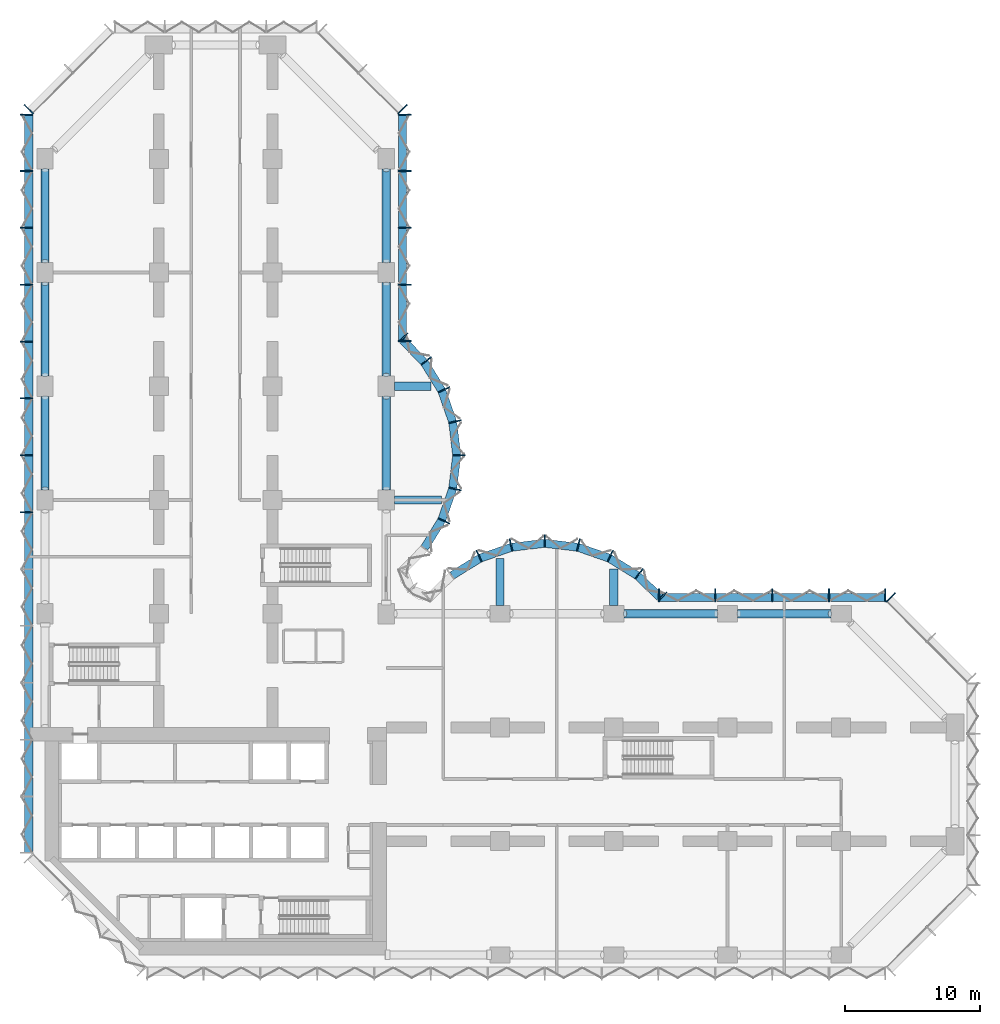
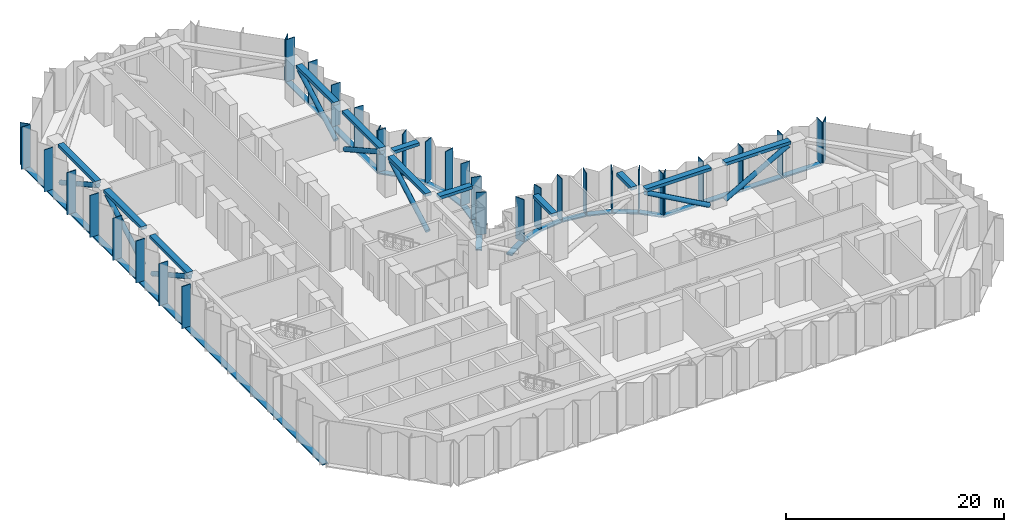
# One storey, part 2 of 18: 60 members, 12 beams, 8 elements without a shape of their own.
"""IFC4 building model written with IfcOpenShell, lengths in metres."""

from ifc_helpers import new_model, si_unit, direction, frame, origin, origin_2d, place, context, subcontext, project, spatial, rectangle, hollow_circle, extrude, material, material_profile, profile_set, type_object, element, aggregate, save


model = new_model("IFC4")

# Units and contexts
model_context = context("Model", 3, precision=1e-05, world=origin(), true_north=direction((0.0, 1.0)))
body_context = subcontext(model_context, "Body", "Model", "MODEL_VIEW")
ifc_project = project(units=[si_unit("LENGTHUNIT", "METRE"), si_unit("AREAUNIT", "SQUARE_METRE"), si_unit("VOLUMEUNIT", "CUBIC_METRE"), si_unit("PLANEANGLEUNIT", "RADIAN"), si_unit("MASSUNIT", "GRAM", prefix="KILO")], contexts=[model_context])

# Site, building, storey
site_placement = place(None, origin())
site = spatial("IfcSite", under=ifc_project, at=site_placement, CompositionType="ELEMENT")
building_placement = place(site_placement, origin())
building = spatial("IfcBuilding", under=site, at=building_placement, Name="Brevane Broadcast Tower", CompositionType="ELEMENT")
storey_placement = place(building_placement, frame((0.0, 0.0, 86.89990234375)))
storey = spatial("IfcBuildingStorey", under=building, at=storey_placement, Name="L20", CompositionType="ELEMENT", Elevation=86.89990234375)

# Curtain wall, member
ifc_material_1 = material(Name="Aluminium 6063-T6 bronze anodised", Category="aluminium")
curtain_wall_type = type_object("IfcCurtainWallType", Name="CW-3 curtain wall", PredefinedType="NOTDEFINED", material=ifc_material_1)
curtain_wall_1_placement = place(storey_placement, origin())
curtain_wall_1 = element("IfcCurtainWall", 1, at=curtain_wall_1_placement, inside=storey, type_object=curtain_wall_type, Name="CW-3 refuge louvre unit L20 north-east chamfer", PredefinedType="NOTDEFINED")
ifc_material_profile_1 = material_profile(ifc_material_1, rectangle(XDim=0.949951171875, YDim=0.080078125, at=origin_2d()), Name="RECT 80x950")
ifc_profile_set_1 = profile_set([ifc_material_profile_1], Name="Aluminium 6063-T6 bronze anodised")
member_type_1 = type_object("IfcMemberType", Name="CW-3 mullion 80x950", PredefinedType="MULLION", material=ifc_profile_set_1)
member_1_placement = place(storey_placement, frame((62.464111328125, 26.407470703125, -0.159912109375), z_axis=(0.0, 0.0, 1.0), x_axis=(-0.707106781187, -0.707106781187, 0.0)))
member_1 = element("IfcMember", 2, at=member_1_placement, type_object=member_type_1, Name="CW-3 mullion", PredefinedType="MULLION", context=body_context, shape_type="SweptSolid", body=[
    extrude(rectangle(XDim=0.949951171875, YDim=0.080078125, at=origin_2d()), origin(), (0.0, 0.0, 1.0), 4.7099609375),
])
aggregate(curtain_wall_1, [member_1])

# Curtain wall, members
curtain_wall_2_placement = place(storey_placement, origin())
curtain_wall_2 = element("IfcCurtainWall", 3, at=curtain_wall_2_placement, inside=storey, type_object=curtain_wall_type, Name="CW-3 refuge louvre unit L20 east arm north face", PredefinedType="NOTDEFINED")
member_2_placement = place(storey_placement, frame((62.06005859375, 26.574951171875, -0.159912109375), z_axis=(0.0, 0.0, 1.0), x_axis=(0.0, -1.0, 0.0)))
member_2 = element("IfcMember", 4, at=member_2_placement, type_object=member_type_1, Name="CW-3 mullion", PredefinedType="MULLION", context=body_context, shape_type="SweptSolid", body=[
    extrude(rectangle(XDim=0.949951171875, YDim=0.080078125, at=origin_2d()), origin(), (0.0, 0.0, 1.0), 4.7099609375),
])
member_3_placement = place(storey_placement, frame((57.89990234375, 26.574951171875, -0.159912109375), z_axis=(0.0, 0.0, 1.0), x_axis=(0.0, -1.0, 0.0)))
member_3 = element("IfcMember", 5, at=member_3_placement, type_object=member_type_1, Name="CW-3 mullion", PredefinedType="MULLION", context=body_context, shape_type="SweptSolid", body=[
    extrude(rectangle(XDim=0.949951171875, YDim=0.080078125, at=origin_2d()), origin(), (0.0, 0.0, 1.0), 4.7099609375),
])
member_4_placement = place(storey_placement, frame((53.699951171875, 26.574951171875, -0.159912109375), z_axis=(0.0, 0.0, 1.0), x_axis=(0.0, -1.0, 0.0)))
member_4 = element("IfcMember", 6, at=member_4_placement, type_object=member_type_1, Name="CW-3 mullion", PredefinedType="MULLION", context=body_context, shape_type="SweptSolid", body=[
    extrude(rectangle(XDim=0.949951171875, YDim=0.080078125, at=origin_2d()), origin(), (0.0, 0.0, 1.0), 4.7099609375),
])
member_5_placement = place(storey_placement, frame((49.5, 26.574951171875, -0.159912109375), z_axis=(0.0, 0.0, 1.0), x_axis=(0.0, -1.0, 0.0)))
member_5 = element("IfcMember", 7, at=member_5_placement, type_object=member_type_1, Name="CW-3 mullion", PredefinedType="MULLION", context=body_context, shape_type="SweptSolid", body=[
    extrude(rectangle(XDim=0.949951171875, YDim=0.080078125, at=origin_2d()), origin(), (0.0, 0.0, 1.0), 4.7099609375),
])
member_6_placement = place(storey_placement, frame((45.340087890625, 26.574951171875, -0.159912109375), z_axis=(0.0, 0.0, 1.0), x_axis=(0.0, -1.0, 0.0)))
member_6 = element("IfcMember", 8, at=member_6_placement, type_object=member_type_1, Name="CW-3 mullion", PredefinedType="MULLION", context=body_context, shape_type="SweptSolid", body=[
    extrude(rectangle(XDim=0.949951171875, YDim=0.080078125, at=origin_2d()), origin(), (0.0, 0.0, 1.0), 4.7099609375),
])

curtain_wall_3_placement = place(storey_placement, origin())
curtain_wall_3 = element("IfcCurtainWall", 9, at=curtain_wall_3_placement, inside=storey, type_object=curtain_wall_type, Name="CW-3 refuge louvre unit L20 east bow", PredefinedType="NOTDEFINED")
member_7_placement = place(storey_placement, frame((45.602294921875, 26.468505859375, -0.159912109375), z_axis=(0.0, 0.0, 1.0), x_axis=(-0.696811941702, -0.717253872699, 0.0)))
member_7 = element("IfcMember", 10, at=member_7_placement, type_object=member_type_1, Name="CW-3 mullion", PredefinedType="MULLION", context=body_context, shape_type="SweptSolid", body=[
    extrude(rectangle(XDim=0.949951171875, YDim=0.080078125, at=origin_2d()), origin(), (0.0, 0.0, 1.0), 4.7099609375),
])
member_8_placement = place(storey_placement, frame((43.8720703125, 28.1455078125, -0.159912109375), z_axis=(0.0, 0.0, 1.0), x_axis=(-0.614769738617, -0.788706642853, 0.0)))
member_8 = element("IfcMember", 11, at=member_8_placement, type_object=member_type_1, Name="CW-3 mullion", PredefinedType="MULLION", context=body_context, shape_type="SweptSolid", body=[
    extrude(rectangle(XDim=0.949951171875, YDim=0.080078125, at=origin_2d()), origin(), (0.0, 0.0, 1.0), 4.7099609375),
])
member_9_placement = place(storey_placement, frame((41.746826171875, 29.4580078125, -0.159912109375), z_axis=(0.0, 0.0, 1.0), x_axis=(-0.429933601163, -0.902860508933, 0.0)))
member_9 = element("IfcMember", 12, at=member_9_placement, type_object=member_type_1, Name="CW-3 mullion", PredefinedType="MULLION", context=body_context, shape_type="SweptSolid", body=[
    extrude(rectangle(XDim=0.949951171875, YDim=0.080078125, at=origin_2d()), origin(), (0.0, 0.0, 1.0), 4.7099609375),
])
member_10_placement = place(storey_placement, frame((39.38818359375, 30.28076171875, -0.159912109375), z_axis=(0.0, 0.0, 1.0), x_axis=(-0.224806482215, -0.974403430594, 0.0)))
member_10 = element("IfcMember", 13, at=member_10_placement, type_object=member_type_1, Name="CW-3 mullion", PredefinedType="MULLION", context=body_context, shape_type="SweptSolid", body=[
    extrude(rectangle(XDim=0.949951171875, YDim=0.080078125, at=origin_2d()), origin(), (0.0, 0.0, 1.0), 4.7099609375),
])
member_11_placement = place(storey_placement, frame((36.89990234375, 30.574951171875, -0.159912109375), z_axis=(0.0, 0.0, 1.0), x_axis=(0.0, -1.0, 0.0)))
member_11 = element("IfcMember", 14, at=member_11_placement, type_object=member_type_1, Name="CW-3 mullion", PredefinedType="MULLION", context=body_context, shape_type="SweptSolid", body=[
    extrude(rectangle(XDim=0.949951171875, YDim=0.080078125, at=origin_2d()), origin(), (0.0, 0.0, 1.0), 4.7099609375),
])
member_12_placement = place(storey_placement, frame((34.411865234375, 30.28076171875, -0.159912109375), z_axis=(0.0, 0.0, 1.0), x_axis=(0.224806482215, -0.974403430594, 0.0)))
member_12 = element("IfcMember", 15, at=member_12_placement, type_object=member_type_1, Name="CW-3 mullion", PredefinedType="MULLION", context=body_context, shape_type="SweptSolid", body=[
    extrude(rectangle(XDim=0.949951171875, YDim=0.080078125, at=origin_2d()), origin(), (0.0, 0.0, 1.0), 4.7099609375),
])
member_13_placement = place(storey_placement, frame((32.05322265625, 29.4580078125, -0.159912109375), z_axis=(0.0, 0.0, 1.0), x_axis=(0.429933601163, -0.902860508933, 0.0)))
member_13 = element("IfcMember", 16, at=member_13_placement, type_object=member_type_1, Name="CW-3 mullion", PredefinedType="MULLION", context=body_context, shape_type="SweptSolid", body=[
    extrude(rectangle(XDim=0.949951171875, YDim=0.080078125, at=origin_2d()), origin(), (0.0, 0.0, 1.0), 4.7099609375),
])

curtain_wall_4_placement = place(storey_placement, origin())
curtain_wall_4 = element("IfcCurtainWall", 17, at=curtain_wall_4_placement, inside=storey, type_object=curtain_wall_type, Name="CW-3 refuge louvre unit L20 north bow", PredefinedType="NOTDEFINED")
member_14_placement = place(storey_placement, frame((29.4580078125, 32.05322265625, -0.159912109375), z_axis=(0.0, 0.0, 1.0), x_axis=(-0.902860508933, 0.429933601163, 0.0)))
member_14 = element("IfcMember", 18, at=member_14_placement, type_object=member_type_1, Name="CW-3 mullion", PredefinedType="MULLION", context=body_context, shape_type="SweptSolid", body=[
    extrude(rectangle(XDim=0.949951171875, YDim=0.080078125, at=origin_2d()), origin(), (0.0, 0.0, 1.0), 4.7099609375),
])
member_15_placement = place(storey_placement, frame((30.28076171875, 34.411865234375, -0.159912109375), z_axis=(0.0, 0.0, 1.0), x_axis=(-0.974403430594, 0.224806482215, 0.0)))
member_15 = element("IfcMember", 19, at=member_15_placement, type_object=member_type_1, Name="CW-3 mullion", PredefinedType="MULLION", context=body_context, shape_type="SweptSolid", body=[
    extrude(rectangle(XDim=0.949951171875, YDim=0.080078125, at=origin_2d()), origin(), (0.0, 0.0, 1.0), 4.7099609375),
])
member_16_placement = place(storey_placement, frame((30.574951171875, 36.89990234375, -0.159912109375), z_axis=(0.0, 0.0, 1.0), x_axis=(-1.0, 0.0, 0.0)))
member_16 = element("IfcMember", 20, at=member_16_placement, type_object=member_type_1, Name="CW-3 mullion", PredefinedType="MULLION", context=body_context, shape_type="SweptSolid", body=[
    extrude(rectangle(XDim=0.949951171875, YDim=0.080078125, at=origin_2d()), origin(), (0.0, 0.0, 1.0), 4.7099609375),
])
member_17_placement = place(storey_placement, frame((30.28076171875, 39.38818359375, -0.159912109375), z_axis=(0.0, 0.0, 1.0), x_axis=(-0.974403430594, -0.224806482215, 0.0)))
member_17 = element("IfcMember", 21, at=member_17_placement, type_object=member_type_1, Name="CW-3 mullion", PredefinedType="MULLION", context=body_context, shape_type="SweptSolid", body=[
    extrude(rectangle(XDim=0.949951171875, YDim=0.080078125, at=origin_2d()), origin(), (0.0, 0.0, 1.0), 4.7099609375),
])
member_18_placement = place(storey_placement, frame((29.4580078125, 41.746826171875, -0.159912109375), z_axis=(0.0, 0.0, 1.0), x_axis=(-0.902860508933, -0.429933601163, 0.0)))
member_18 = element("IfcMember", 22, at=member_18_placement, type_object=member_type_1, Name="CW-3 mullion", PredefinedType="MULLION", context=body_context, shape_type="SweptSolid", body=[
    extrude(rectangle(XDim=0.949951171875, YDim=0.080078125, at=origin_2d()), origin(), (0.0, 0.0, 1.0), 4.7099609375),
])
member_19_placement = place(storey_placement, frame((28.1455078125, 43.8720703125, -0.159912109375), z_axis=(0.0, 0.0, 1.0), x_axis=(-0.788706642853, -0.614769738617, 0.0)))
member_19 = element("IfcMember", 23, at=member_19_placement, type_object=member_type_1, Name="CW-3 mullion", PredefinedType="MULLION", context=body_context, shape_type="SweptSolid", body=[
    extrude(rectangle(XDim=0.949951171875, YDim=0.080078125, at=origin_2d()), origin(), (0.0, 0.0, 1.0), 4.7099609375),
])
member_20_placement = place(storey_placement, frame((26.468505859375, 45.602294921875, -0.159912109375), z_axis=(0.0, 0.0, 1.0), x_axis=(-0.717253872699, -0.696811941702, 0.0)))
member_20 = element("IfcMember", 24, at=member_20_placement, type_object=member_type_1, Name="CW-3 mullion", PredefinedType="MULLION", context=body_context, shape_type="SweptSolid", body=[
    extrude(rectangle(XDim=0.949951171875, YDim=0.080078125, at=origin_2d()), origin(), (0.0, 0.0, 1.0), 4.7099609375),
])

curtain_wall_5_placement = place(storey_placement, origin())
curtain_wall_5 = element("IfcCurtainWall", 25, at=curtain_wall_5_placement, inside=storey, type_object=curtain_wall_type, Name="CW-3 refuge louvre unit L20 north arm east face", PredefinedType="NOTDEFINED")
member_21_placement = place(storey_placement, frame((26.574951171875, 45.340087890625, -0.159912109375), z_axis=(0.0, 0.0, 1.0), x_axis=(-1.0, 0.0, 0.0)))
member_21 = element("IfcMember", 26, at=member_21_placement, type_object=member_type_1, Name="CW-3 mullion", PredefinedType="MULLION", context=body_context, shape_type="SweptSolid", body=[
    extrude(rectangle(XDim=0.949951171875, YDim=0.080078125, at=origin_2d()), origin(), (0.0, 0.0, 1.0), 4.7099609375),
])
member_22_placement = place(storey_placement, frame((26.574951171875, 49.5, -0.159912109375), z_axis=(0.0, 0.0, 1.0), x_axis=(-1.0, 0.0, 0.0)))
member_22 = element("IfcMember", 27, at=member_22_placement, type_object=member_type_1, Name="CW-3 mullion", PredefinedType="MULLION", context=body_context, shape_type="SweptSolid", body=[
    extrude(rectangle(XDim=0.949951171875, YDim=0.080078125, at=origin_2d()), origin(), (0.0, 0.0, 1.0), 4.7099609375),
])
member_23_placement = place(storey_placement, frame((26.574951171875, 53.699951171875, -0.159912109375), z_axis=(0.0, 0.0, 1.0), x_axis=(-1.0, 0.0, 0.0)))
member_23 = element("IfcMember", 28, at=member_23_placement, type_object=member_type_1, Name="CW-3 mullion", PredefinedType="MULLION", context=body_context, shape_type="SweptSolid", body=[
    extrude(rectangle(XDim=0.949951171875, YDim=0.080078125, at=origin_2d()), origin(), (0.0, 0.0, 1.0), 4.7099609375),
])
member_24_placement = place(storey_placement, frame((26.574951171875, 57.89990234375, -0.159912109375), z_axis=(0.0, 0.0, 1.0), x_axis=(-1.0, 0.0, 0.0)))
member_24 = element("IfcMember", 29, at=member_24_placement, type_object=member_type_1, Name="CW-3 mullion", PredefinedType="MULLION", context=body_context, shape_type="SweptSolid", body=[
    extrude(rectangle(XDim=0.949951171875, YDim=0.080078125, at=origin_2d()), origin(), (0.0, 0.0, 1.0), 4.7099609375),
])
member_25_placement = place(storey_placement, frame((26.574951171875, 62.06005859375, -0.159912109375), z_axis=(0.0, 0.0, 1.0), x_axis=(-1.0, 0.0, 0.0)))
member_25 = element("IfcMember", 30, at=member_25_placement, type_object=member_type_1, Name="CW-3 mullion", PredefinedType="MULLION", context=body_context, shape_type="SweptSolid", body=[
    extrude(rectangle(XDim=0.949951171875, YDim=0.080078125, at=origin_2d()), origin(), (0.0, 0.0, 1.0), 4.7099609375),
])

# Curtain wall, member
curtain_wall_6_placement = place(storey_placement, origin())
curtain_wall_6 = element("IfcCurtainWall", 31, at=curtain_wall_6_placement, inside=storey, type_object=curtain_wall_type, Name="CW-3 refuge louvre unit L20 north arm north-east chamfer", PredefinedType="NOTDEFINED")
member_26_placement = place(storey_placement, frame((26.407470703125, 62.464111328125, -0.159912109375), z_axis=(0.0, 0.0, 1.0), x_axis=(-0.707106781187, -0.707106781187, 0.0)))
member_26 = element("IfcMember", 32, at=member_26_placement, type_object=member_type_1, Name="CW-3 mullion", PredefinedType="MULLION", context=body_context, shape_type="SweptSolid", body=[
    extrude(rectangle(XDim=0.949951171875, YDim=0.080078125, at=origin_2d()), origin(), (0.0, 0.0, 1.0), 4.7099609375),
])
aggregate(curtain_wall_6, [member_26])

curtain_wall_7_placement = place(storey_placement, origin())
curtain_wall_7 = element("IfcCurtainWall", 33, at=curtain_wall_7_placement, inside=storey, type_object=curtain_wall_type, Name="CW-3 refuge louvre unit L20 north-west chamfer", PredefinedType="NOTDEFINED")
member_27_placement = place(storey_placement, frame((-1.20751953125, 62.464111328125, -0.159912109375), z_axis=(0.0, 0.0, 1.0), x_axis=(0.707106781187, -0.707106781187, 0.0)))
member_27 = element("IfcMember", 34, at=member_27_placement, type_object=member_type_1, Name="CW-3 mullion", PredefinedType="MULLION", context=body_context, shape_type="SweptSolid", body=[
    extrude(rectangle(XDim=0.949951171875, YDim=0.080078125, at=origin_2d()), origin(), (0.0, 0.0, 1.0), 4.7099609375),
])
aggregate(curtain_wall_7, [member_27])

# Curtain wall, members
curtain_wall_8_placement = place(storey_placement, origin())
curtain_wall_8 = element("IfcCurtainWall", 35, at=curtain_wall_8_placement, inside=storey, type_object=curtain_wall_type, Name="CW-3 refuge louvre unit L20 west face", PredefinedType="NOTDEFINED")
member_28_placement = place(storey_placement, frame((-1.375, 62.06005859375, -0.159912109375), z_axis=(0.0, 0.0, 1.0), x_axis=(1.0, 0.0, 0.0)))
member_28 = element("IfcMember", 36, at=member_28_placement, type_object=member_type_1, Name="CW-3 mullion", PredefinedType="MULLION", context=body_context, shape_type="SweptSolid", body=[
    extrude(rectangle(XDim=0.949951171875, YDim=0.080078125, at=origin_2d()), origin(), (0.0, 0.0, 1.0), 4.7099609375),
])
member_29_placement = place(storey_placement, frame((-1.375, 57.89990234375, -0.159912109375), z_axis=(0.0, 0.0, 1.0), x_axis=(1.0, 0.0, 0.0)))
member_29 = element("IfcMember", 37, at=member_29_placement, type_object=member_type_1, Name="CW-3 mullion", PredefinedType="MULLION", context=body_context, shape_type="SweptSolid", body=[
    extrude(rectangle(XDim=0.949951171875, YDim=0.080078125, at=origin_2d()), origin(), (0.0, 0.0, 1.0), 4.7099609375),
])
member_30_placement = place(storey_placement, frame((-1.375, 53.699951171875, -0.159912109375), z_axis=(0.0, 0.0, 1.0), x_axis=(1.0, 0.0, 0.0)))
member_30 = element("IfcMember", 38, at=member_30_placement, type_object=member_type_1, Name="CW-3 mullion", PredefinedType="MULLION", context=body_context, shape_type="SweptSolid", body=[
    extrude(rectangle(XDim=0.949951171875, YDim=0.080078125, at=origin_2d()), origin(), (0.0, 0.0, 1.0), 4.7099609375),
])
member_31_placement = place(storey_placement, frame((-1.375, 49.5, -0.159912109375), z_axis=(0.0, 0.0, 1.0), x_axis=(1.0, 0.0, 0.0)))
member_31 = element("IfcMember", 39, at=member_31_placement, type_object=member_type_1, Name="CW-3 mullion", PredefinedType="MULLION", context=body_context, shape_type="SweptSolid", body=[
    extrude(rectangle(XDim=0.949951171875, YDim=0.080078125, at=origin_2d()), origin(), (0.0, 0.0, 1.0), 4.7099609375),
])
member_32_placement = place(storey_placement, frame((-1.375, 45.300048828125, -0.159912109375), z_axis=(0.0, 0.0, 1.0), x_axis=(1.0, 0.0, 0.0)))
member_32 = element("IfcMember", 40, at=member_32_placement, type_object=member_type_1, Name="CW-3 mullion", PredefinedType="MULLION", context=body_context, shape_type="SweptSolid", body=[
    extrude(rectangle(XDim=0.949951171875, YDim=0.080078125, at=origin_2d()), origin(), (0.0, 0.0, 1.0), 4.7099609375),
])
member_33_placement = place(storey_placement, frame((-1.375, 41.10009765625, -0.159912109375), z_axis=(0.0, 0.0, 1.0), x_axis=(1.0, 0.0, 0.0)))
member_33 = element("IfcMember", 41, at=member_33_placement, type_object=member_type_1, Name="CW-3 mullion", PredefinedType="MULLION", context=body_context, shape_type="SweptSolid", body=[
    extrude(rectangle(XDim=0.949951171875, YDim=0.080078125, at=origin_2d()), origin(), (0.0, 0.0, 1.0), 4.7099609375),
])
member_34_placement = place(storey_placement, frame((-1.375, 36.89990234375, -0.159912109375), z_axis=(0.0, 0.0, 1.0), x_axis=(1.0, 0.0, 0.0)))
member_34 = element("IfcMember", 42, at=member_34_placement, type_object=member_type_1, Name="CW-3 mullion", PredefinedType="MULLION", context=body_context, shape_type="SweptSolid", body=[
    extrude(rectangle(XDim=0.949951171875, YDim=0.080078125, at=origin_2d()), origin(), (0.0, 0.0, 1.0), 4.7099609375),
])
member_35_placement = place(storey_placement, frame((-1.375, 32.699951171875, -0.159912109375), z_axis=(0.0, 0.0, 1.0), x_axis=(1.0, 0.0, 0.0)))
member_35 = element("IfcMember", 43, at=member_35_placement, type_object=member_type_1, Name="CW-3 mullion", PredefinedType="MULLION", context=body_context, shape_type="SweptSolid", body=[
    extrude(rectangle(XDim=0.949951171875, YDim=0.080078125, at=origin_2d()), origin(), (0.0, 0.0, 1.0), 4.7099609375),
])

# Member
ifc_material_profile_2 = material_profile(ifc_material_1, rectangle(XDim=0.60009765625, YDim=0.139892578125, at=origin_2d()), Name="RECT 140x600")
ifc_profile_set_2 = profile_set([ifc_material_profile_2], Name="Aluminium 6063-T6 bronze anodised")
member_type_2 = type_object("IfcMemberType", Name="CW-3 transom 140x600", PredefinedType="USERDEFINED", material=ifc_profile_set_2)
member_36_placement = place(storey_placement, frame((62.10009765625, 26.39990234375, -0.22998046875), z_axis=(-1.0, 0.0, 0.0), x_axis=(0.0, -1.0, 0.0)))
member_36 = element("IfcMember", 44, at=member_36_placement, type_object=member_type_2, Name="CW-3 transom", ObjectType="TRANSOM", PredefinedType="USERDEFINED", context=body_context, shape_type="SweptSolid", body=[
    extrude(rectangle(XDim=0.60009765625, YDim=0.139892578125, at=origin_2d()), origin(), (0.0, 0.0, 1.0), 16.800048828125),
])

aggregate(curtain_wall_2, [member_2, member_3, member_4, member_5, member_6, member_36])

member_37_placement = place(storey_placement, frame((45.412841796875, 26.407958984375, -0.22998046875), z_axis=(-0.71724215871, 0.696823999134, 0.0), x_axis=(-0.696823999134, -0.71724215871, 0.0)))
member_37 = element("IfcMember", 45, at=member_37_placement, type_object=member_type_2, Name="CW-3 transom", ObjectType="TRANSOM", PredefinedType="USERDEFINED", context=body_context, shape_type="SweptSolid", body=[
    extrude(rectangle(XDim=0.60009765625, YDim=0.139892578125, at=origin_2d()), origin(), (0.0, 0.0, 1.0), 2.247802734375),
])

member_38_placement = place(storey_placement, frame((43.7421875, 28.023193359375, -0.22998046875), z_axis=(-0.850810063131, 0.525473345162, 0.0), x_axis=(-0.525473345162, -0.850810063131, 0.0)))
member_38 = element("IfcMember", 46, at=member_38_placement, type_object=member_type_2, Name="CW-3 transom", ObjectType="TRANSOM", PredefinedType="USERDEFINED", context=body_context, shape_type="SweptSolid", body=[
    extrude(rectangle(XDim=0.60009765625, YDim=0.139892578125, at=origin_2d()), origin(), (0.0, 0.0, 1.0), 2.39453125),
])

member_39_placement = place(storey_placement, frame((41.63623046875, 29.314208984375, -0.22998046875), z_axis=(-0.944197969542, 0.329378497041, 0.0), x_axis=(-0.329378497041, -0.944197969542, 0.0)))
member_39 = element("IfcMember", 47, at=member_39_placement, type_object=member_type_2, Name="CW-3 transom", ObjectType="TRANSOM", PredefinedType="USERDEFINED", context=body_context, shape_type="SweptSolid", body=[
    extrude(rectangle(XDim=0.60009765625, YDim=0.139892578125, at=origin_2d()), origin(), (0.0, 0.0, 1.0), 2.394775390625),
])

member_40_placement = place(storey_placement, frame((39.30029296875, 30.117431640625, -0.22998046875), z_axis=(-0.993062061831, 0.117591417, 0.0), x_axis=(-0.117591417, -0.993062061831, 0.0)))
member_40 = element("IfcMember", 48, at=member_40_placement, type_object=member_type_2, Name="CW-3 transom", ObjectType="TRANSOM", PredefinedType="USERDEFINED", context=body_context, shape_type="SweptSolid", body=[
    extrude(rectangle(XDim=0.60009765625, YDim=0.139892578125, at=origin_2d()), origin(), (0.0, 0.0, 1.0), 2.39794921875),
])

member_41_placement = place(storey_placement, frame((36.880859375, 30.3994140625, -0.22998046875), z_axis=(-0.993060653805, -0.117603307202, 0.0), x_axis=(0.117603307202, -0.993060653805, 0.0)))
member_41 = element("IfcMember", 49, at=member_41_placement, type_object=member_type_2, Name="CW-3 transom", ObjectType="TRANSOM", PredefinedType="USERDEFINED", context=body_context, shape_type="SweptSolid", body=[
    extrude(rectangle(XDim=0.60009765625, YDim=0.139892578125, at=origin_2d()), origin(), (0.0, 0.0, 1.0), 2.397705078125),
])

member_42_placement = place(storey_placement, frame((34.425048828125, 30.10302734375, -0.22998046875), z_axis=(-0.944197969542, -0.329378497041, 0.0), x_axis=(0.329378497041, -0.944197969542, 0.0)))
member_42 = element("IfcMember", 50, at=member_42_placement, type_object=member_type_2, Name="CW-3 transom", ObjectType="TRANSOM", PredefinedType="USERDEFINED", context=body_context, shape_type="SweptSolid", body=[
    extrude(rectangle(XDim=0.60009765625, YDim=0.139892578125, at=origin_2d()), origin(), (0.0, 0.0, 1.0), 2.394775390625),
])

member_43_placement = place(storey_placement, frame((32.09521484375, 29.281494140625, -0.22998046875), z_axis=(-0.850838211365, -0.525427766759, 0.0), x_axis=(0.525427766759, -0.850838211365, 0.0)))
member_43 = element("IfcMember", 51, at=member_43_placement, type_object=member_type_2, Name="CW-3 transom", ObjectType="TRANSOM", PredefinedType="USERDEFINED", context=body_context, shape_type="SweptSolid", body=[
    extrude(rectangle(XDim=0.60009765625, YDim=0.139892578125, at=origin_2d()), origin(), (0.0, 0.0, 1.0), 2.394775390625),
])

aggregate(curtain_wall_3, [member_7, member_8, member_9, member_10, member_11, member_12, member_13, member_37, member_38, member_39, member_40, member_41, member_42, member_43])

member_44_placement = place(storey_placement, frame((28.023193359375, 30.0576171875, -0.22998046875), z_axis=(0.525427766759, 0.850838211365, 0.0), x_axis=(-0.850838211365, 0.525427766759, 0.0)))
member_44 = element("IfcMember", 52, at=member_44_placement, type_object=member_type_2, Name="CW-3 transom", ObjectType="TRANSOM", PredefinedType="USERDEFINED", context=body_context, shape_type="SweptSolid", body=[
    extrude(rectangle(XDim=0.60009765625, YDim=0.139892578125, at=origin_2d()), origin(), (0.0, 0.0, 1.0), 2.394775390625),
])

member_45_placement = place(storey_placement, frame((29.314208984375, 32.163818359375, -0.22998046875), z_axis=(0.329378497041, 0.944197969542, 0.0), x_axis=(-0.944197969542, 0.329378497041, 0.0)))
member_45 = element("IfcMember", 53, at=member_45_placement, type_object=member_type_2, Name="CW-3 transom", ObjectType="TRANSOM", PredefinedType="USERDEFINED", context=body_context, shape_type="SweptSolid", body=[
    extrude(rectangle(XDim=0.60009765625, YDim=0.139892578125, at=origin_2d()), origin(), (0.0, 0.0, 1.0), 2.394775390625),
])

member_46_placement = place(storey_placement, frame((30.117431640625, 34.499755859375, -0.22998046875), z_axis=(0.117603307202, 0.993060653805, 0.0), x_axis=(-0.993060653805, 0.117603307202, 0.0)))
member_46 = element("IfcMember", 54, at=member_46_placement, type_object=member_type_2, Name="CW-3 transom", ObjectType="TRANSOM", PredefinedType="USERDEFINED", context=body_context, shape_type="SweptSolid", body=[
    extrude(rectangle(XDim=0.60009765625, YDim=0.139892578125, at=origin_2d()), origin(), (0.0, 0.0, 1.0), 2.397705078125),
])

member_47_placement = place(storey_placement, frame((30.3994140625, 36.9189453125, -0.22998046875), z_axis=(-0.117591417, 0.993062061831, 0.0), x_axis=(-0.993062061831, -0.117591417, 0.0)))
member_47 = element("IfcMember", 55, at=member_47_placement, type_object=member_type_2, Name="CW-3 transom", ObjectType="TRANSOM", PredefinedType="USERDEFINED", context=body_context, shape_type="SweptSolid", body=[
    extrude(rectangle(XDim=0.60009765625, YDim=0.139892578125, at=origin_2d()), origin(), (0.0, 0.0, 1.0), 2.39794921875),
])

member_48_placement = place(storey_placement, frame((30.10302734375, 39.375, -0.22998046875), z_axis=(-0.329378497041, 0.944197969542, 0.0), x_axis=(-0.944197969542, -0.329378497041, 0.0)))
member_48 = element("IfcMember", 56, at=member_48_placement, type_object=member_type_2, Name="CW-3 transom", ObjectType="TRANSOM", PredefinedType="USERDEFINED", context=body_context, shape_type="SweptSolid", body=[
    extrude(rectangle(XDim=0.60009765625, YDim=0.139892578125, at=origin_2d()), origin(), (0.0, 0.0, 1.0), 2.394775390625),
])

member_49_placement = place(storey_placement, frame((29.281494140625, 41.704833984375, -0.22998046875), z_axis=(-0.525473345162, 0.850810063131, 0.0), x_axis=(-0.850810063131, -0.525473345162, 0.0)))
member_49 = element("IfcMember", 57, at=member_49_placement, type_object=member_type_2, Name="CW-3 transom", ObjectType="TRANSOM", PredefinedType="USERDEFINED", context=body_context, shape_type="SweptSolid", body=[
    extrude(rectangle(XDim=0.60009765625, YDim=0.139892578125, at=origin_2d()), origin(), (0.0, 0.0, 1.0), 2.39453125),
])

member_50_placement = place(storey_placement, frame((27.974365234375, 43.800537109375, -0.22998046875), z_axis=(-0.696823999134, 0.71724215871, 0.0), x_axis=(-0.71724215871, -0.696823999134, 0.0)))
member_50 = element("IfcMember", 58, at=member_50_placement, type_object=member_type_2, Name="CW-3 transom", ObjectType="TRANSOM", PredefinedType="USERDEFINED", context=body_context, shape_type="SweptSolid", body=[
    extrude(rectangle(XDim=0.60009765625, YDim=0.139892578125, at=origin_2d()), origin(), (0.0, 0.0, 1.0), 2.247802734375),
])

aggregate(curtain_wall_4, [member_14, member_15, member_16, member_17, member_18, member_19, member_20, member_44, member_45, member_46, member_47, member_48, member_49, member_50])

member_51_placement = place(storey_placement, frame((26.39990234375, 45.300048828125, -0.22998046875), z_axis=(0.0, 1.0, 0.0), x_axis=(-1.0, 0.0, 0.0)))
member_51 = element("IfcMember", 59, at=member_51_placement, type_object=member_type_2, Name="CW-3 transom", ObjectType="TRANSOM", PredefinedType="USERDEFINED", context=body_context, shape_type="SweptSolid", body=[
    extrude(rectangle(XDim=0.60009765625, YDim=0.139892578125, at=origin_2d()), origin(), (0.0, 0.0, 1.0), 16.800048828125),
])

aggregate(curtain_wall_5, [member_21, member_22, member_23, member_24, member_25, member_51])

member_52_placement = place(storey_placement, frame((-1.199951171875, 62.10009765625, -0.22998046875), z_axis=(0.0, -1.0, 0.0), x_axis=(1.0, 0.0, 0.0)))
member_52 = element("IfcMember", 60, at=member_52_placement, type_object=member_type_2, Name="CW-3 transom", ObjectType="TRANSOM", PredefinedType="USERDEFINED", context=body_context, shape_type="SweptSolid", body=[
    extrude(rectangle(XDim=0.60009765625, YDim=0.139892578125, at=origin_2d()), origin(), (0.0, 0.0, 1.0), 54.60009765625),
])

aggregate(curtain_wall_8, [member_28, member_29, member_30, member_31, member_32, member_33, member_34, member_35, member_52])

# Beams
ifc_material_2 = material(Name="Concrete C40/50", Category="concrete")
ifc_material_profile_3 = material_profile(ifc_material_2, rectangle(XDim=0.60009765625, YDim=0.35009765625, at=origin_2d()), Name="RC 600x350")
ifc_profile_set_3 = profile_set([ifc_material_profile_3], Name="Concrete C40/50")
beam_type_1 = type_object("IfcBeamType", Name="RC BRACKET BEAM 600x350 C40/50", PredefinedType="BEAM", material=ifc_profile_set_3)
beam_1_placement = place(storey_placement, frame((25.800048828125, 33.60009765625, 4.375), z_axis=(1.0, 0.0, 0.0), x_axis=(0.0, 1.0, 0.0)))
element("IfcBeam", 61, at=beam_1_placement, inside=storey, type_object=beam_type_1, Name="EB2 L20-1", PredefinedType="BEAM", context=body_context, shape_type="SweptSolid", body=[
    extrude(rectangle(XDim=0.60009765625, YDim=0.35009765625, at=origin_2d()), origin(), (0.0, 0.0, 1.0), 3.4619140625),
])
beam_2_placement = place(storey_placement, frame((25.800048828125, 42.0, 4.375), z_axis=(1.0, 0.0, 0.0), x_axis=(0.0, 1.0, 0.0)))
element("IfcBeam", 62, at=beam_2_placement, inside=storey, type_object=beam_type_1, Name="EB2 L20-2", PredefinedType="BEAM", context=body_context, shape_type="SweptSolid", body=[
    extrude(rectangle(XDim=0.60009765625, YDim=0.35009765625, at=origin_2d()), origin(), (0.0, 0.0, 1.0), 2.71142578125),
])
beam_3_placement = place(storey_placement, frame((33.60009765625, 25.800048828125, 4.375), z_axis=(0.0, 1.0, 0.0), x_axis=(-1.0, 0.0, 0.0)))
element("IfcBeam", 63, at=beam_3_placement, inside=storey, type_object=beam_type_1, Name="EB2 L20-3", PredefinedType="BEAM", context=body_context, shape_type="SweptSolid", body=[
    extrude(rectangle(XDim=0.60009765625, YDim=0.35009765625, at=origin_2d()), origin(), (0.0, 0.0, 1.0), 3.4619140625),
])
beam_4_placement = place(storey_placement, frame((42.0, 25.800048828125, 4.375), z_axis=(0.0, 1.0, 0.0), x_axis=(-1.0, 0.0, 0.0)))
element("IfcBeam", 64, at=beam_4_placement, inside=storey, type_object=beam_type_1, Name="EB2 L20-4", PredefinedType="BEAM", context=body_context, shape_type="SweptSolid", body=[
    extrude(rectangle(XDim=0.60009765625, YDim=0.35009765625, at=origin_2d()), origin(), (0.0, 0.0, 1.0), 2.71142578125),
])
ifc_material_profile_4 = material_profile(ifc_material_2, rectangle(XDim=0.60009765625, YDim=0.35009765625, at=origin_2d()), Name="RC 600x350")
ifc_profile_set_4 = profile_set([ifc_material_profile_4], Name="Concrete C40/50")
beam_type_2 = type_object("IfcBeamType", Name="RC SPANDREL BEAM 600x350 C40/50", PredefinedType="SPANDREL", material=ifc_profile_set_4)
beam_5_placement = place(storey_placement, frame((58.050048828125, 25.199951171875, 4.375), z_axis=(-1.0, 0.0, 0.0), x_axis=(0.0, -1.0, 0.0)))
element("IfcBeam", 65, at=beam_5_placement, inside=storey, type_object=beam_type_2, Name="EB1 L20-8", PredefinedType="SPANDREL", context=body_context, shape_type="SweptSolid", body=[
    extrude(rectangle(XDim=0.60009765625, YDim=0.35009765625, at=origin_2d()), origin(), (0.0, 0.0, 1.0), 6.900146484375),
])
for number, where, z_axis, x_axis, name in (
    (66, (49.64990234375, 25.199951171875, 4.375), (-1.0, 0.0, 0.0), (0.0, -1.0, 0.0), "EB1 L20-9"),
    (67, (25.199951171875, 34.35009765625, 4.375), (0.0, 1.0, 0.0), (-1.0, 0.0, 0.0), "EB1 L20-13"),
    (68, (25.199951171875, 42.75, 4.375), (0.0, 1.0, 0.0), (-1.0, 0.0, 0.0), "EB1 L20-14"),
):
    element("IfcBeam", number, at=place(storey_placement, frame(where, z_axis=z_axis, x_axis=x_axis)), inside=storey, type_object=beam_type_2, Name=name, PredefinedType="SPANDREL", context=body_context, shape_type="SweptSolid", body=[
        extrude(rectangle(XDim=0.60009765625, YDim=0.35009765625, at=origin_2d()), origin(), (0.0, 0.0, 1.0), 6.89990234375),
    ])
for number, where, z_axis, x_axis, name in (
    (69, (25.199951171875, 51.14990234375, 4.375), (0.0, 1.0, 0.0), (-1.0, 0.0, 0.0), "EB1 L20-15"),
    (70, (0.0, 58.050048828125, 4.375), (0.0, -1.0, 0.0), (1.0, 0.0, 0.0), "EB1 L20-19"),
):
    element("IfcBeam", number, at=place(storey_placement, frame(where, z_axis=z_axis, x_axis=x_axis)), inside=storey, type_object=beam_type_2, Name=name, PredefinedType="SPANDREL", context=body_context, shape_type="SweptSolid", body=[
        extrude(rectangle(XDim=0.60009765625, YDim=0.35009765625, at=origin_2d()), origin(), (0.0, 0.0, 1.0), 6.900146484375),
    ])
for number, where, z_axis, x_axis, name in (
    (71, (0.0, 49.64990234375, 4.375), (0.0, -1.0, 0.0), (1.0, 0.0, 0.0), "EB1 L20-20"),
    (72, (0.0, 41.25, 4.375), (0.0, -1.0, 0.0), (1.0, 0.0, 0.0), "EB1 L20-21"),
):
    element("IfcBeam", number, at=place(storey_placement, frame(where, z_axis=z_axis, x_axis=x_axis)), inside=storey, type_object=beam_type_2, Name=name, PredefinedType="SPANDREL", context=body_context, shape_type="SweptSolid", body=[
        extrude(rectangle(XDim=0.60009765625, YDim=0.35009765625, at=origin_2d()), origin(), (0.0, 0.0, 1.0), 6.89990234375),
    ])

# Members
ifc_material_3 = material(Name="Steel S355", Category="steel")
ifc_material_profile_5 = material_profile(ifc_material_3, hollow_circle(Radius=0.25390625, WallThickness=0.01611328125, at=origin_2d()), Name="CHS 508x16")
ifc_profile_set_5 = profile_set([ifc_material_profile_5], Name="Steel S355")
member_type_3 = type_object("IfcMemberType", Name="STEEL BELT TRUSS BRACE CHS 508x16 S355", PredefinedType="BRACE", material=ifc_profile_set_5)
for number, where, z_axis, x_axis, name in (
    (73, (51.244140625, 25.199951171875, 0.2216796875), (0.872607751959, 0.0, 0.488421653104), (0.0, 1.0, 0.0), "BT1 L20-8"),
    (74, (49.555908203125, 25.199951171875, 0.2216796875), (-0.872607751959, 0.0, 0.488421653104), (0.0, -1.0, 0.0), "BT1 L20-9"),
    (75, (25.199951171875, 34.444091796875, 0.2216796875), (0.0, 0.872607751959, 0.488421653104), (-1.0, 0.0, 0.0), "BT1 L20-13"),
    (76, (25.199951171875, 49.555908203125, 0.2216796875), (0.0, -0.872607751959, 0.488421653104), (1.0, 0.0, 0.0), "BT1 L20-14"),
    (77, (25.199951171875, 51.244140625, 0.2216796875), (0.0, 0.872607751959, 0.488421653104), (-1.0, 0.0, 0.0), "BT1 L20-15"),
    (78, (0.0, 57.9560546875, 0.2216796875), (0.0, -0.872607751959, 0.488421653104), (1.0, 0.0, 0.0), "BT1 L20-19"),
    (79, (0.0, 42.843994140625, 0.2216796875), (0.0, 0.872607751959, 0.488421653104), (-1.0, 0.0, 0.0), "BT1 L20-20"),
    (80, (0.0, 41.156005859375, 0.2216796875), (0.0, -0.872607751959, 0.488421653104), (1.0, 0.0, 0.0), "BT1 L20-21"),
):
    element("IfcMember", number, at=place(storey_placement, frame(where, z_axis=z_axis, x_axis=x_axis)), inside=storey, type_object=member_type_3, Name=name, PredefinedType="BRACE", context=body_context, shape_type="SweptSolid", body=[
        extrude(hollow_circle(Radius=0.25390625, WallThickness=0.01611328125, at=origin_2d()), origin(), (0.0, 0.0, 1.0), 7.69189453125),
    ])

save(model, "model.ifc")
